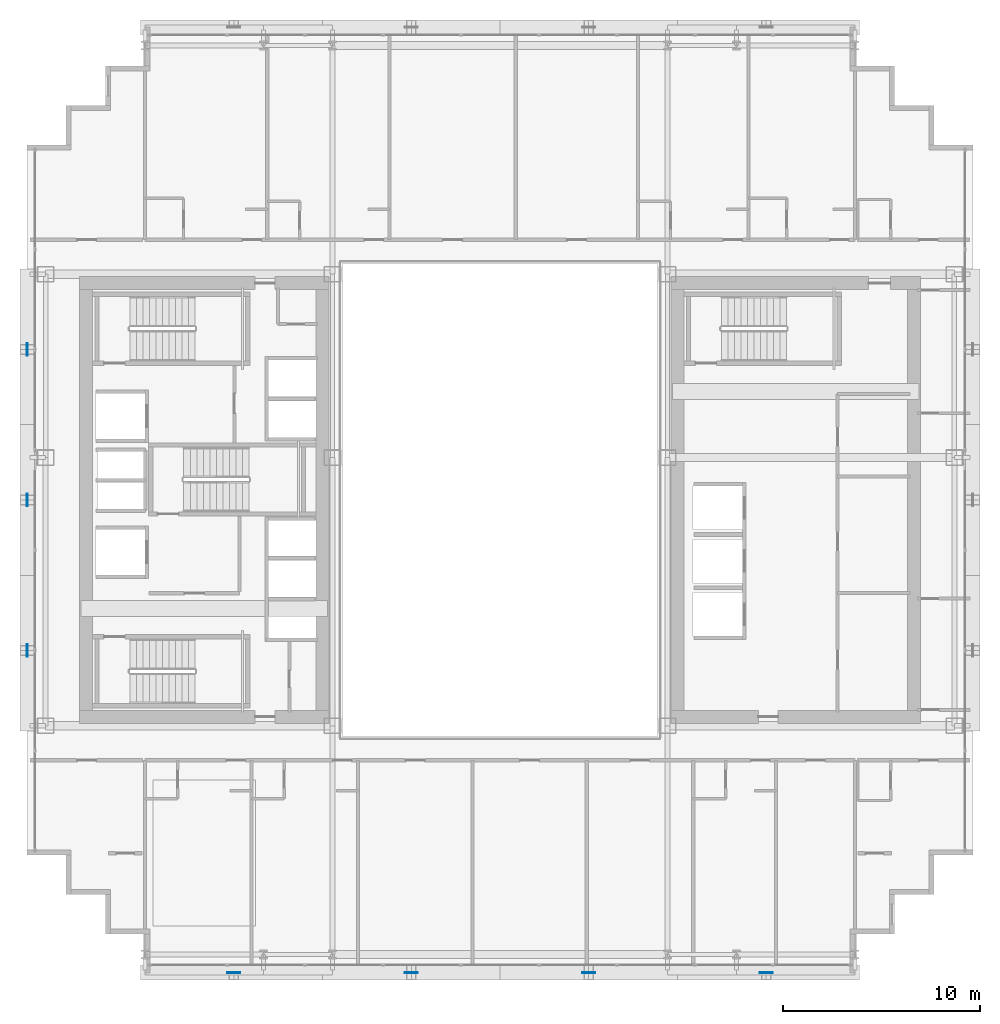
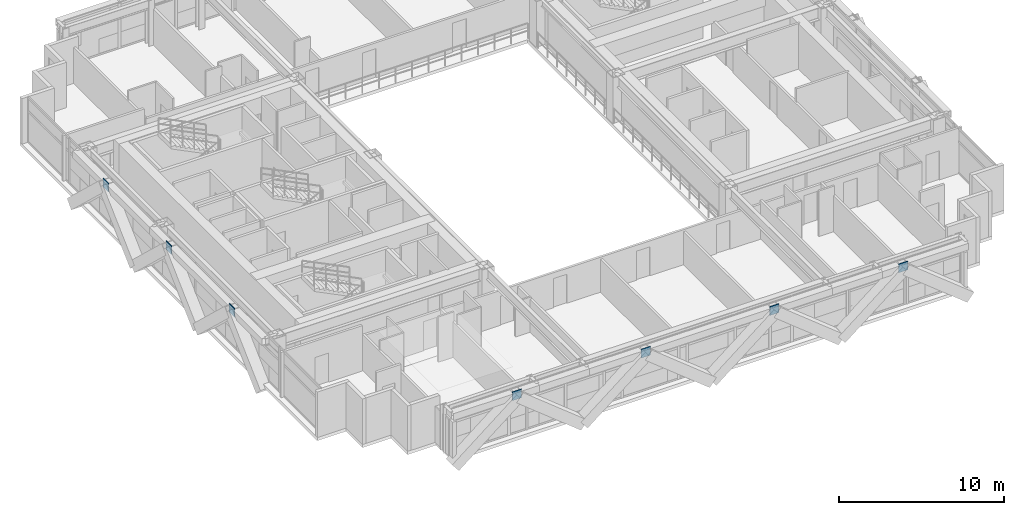
# One storey, part 25 of 35: 7 plates.
"""IFC4 building model written with IfcOpenShell, lengths in metres."""

from ifc_helpers import new_model, si_unit, direction, frame, origin, origin_2d, place, context, subcontext, project, spatial, rectangle, extrude, source, transform, mapped, material, layer, layer_set, type_object, element, save


model = new_model("IFC4")

# Units and contexts
model_context = context("Model", 3, precision=1e-05, world=origin(), true_north=direction((0.0, 1.0)))
body_context = subcontext(model_context, "Body", "Model", "MODEL_VIEW")
ifc_project = project(units=[si_unit("LENGTHUNIT", "METRE"), si_unit("AREAUNIT", "SQUARE_METRE"), si_unit("VOLUMEUNIT", "CUBIC_METRE"), si_unit("PLANEANGLEUNIT", "RADIAN"), si_unit("MASSUNIT", "GRAM", prefix="KILO")], contexts=[model_context])

# Site, building, storey
site_placement = place(None, origin())
site = spatial("IfcSite", under=ifc_project, at=site_placement, CompositionType="ELEMENT")
building_placement = place(site_placement, origin())
building = spatial("IfcBuilding", under=site, at=building_placement, Name="Ocotamira Hotel", CompositionType="ELEMENT")
storey_placement = place(building_placement, frame((0.0, 0.0, 118.800048828125)))
storey = spatial("IfcBuildingStorey", under=building, at=storey_placement, Name="L29", CompositionType="ELEMENT", Elevation=118.800048828125)

# Plates
ifc_material = material(Name="Pale-metal coated steel ASTM A572 Grade 50", Category="steel")
ifc_layer = layer(ifc_material, 0.0400390625)
ifc_layer_set = layer_set([ifc_layer], Name="Pale-metal coated steel ASTM A572 Grade 50")
plate_type = type_object("IfcPlateType", Name="PLT-GUSSET-40", PredefinedType="SHEET", material=ifc_layer_set)
shared_shape_1 = source(origin(), body_context, "Body", "SweptSolid", [
    extrude(rectangle(XDim=0.64990234375, YDim=0.0400390625, at=origin_2d()), origin(), (0.0, 0.0, 1.0), 0.64990234375),
])
for number, where, z_axis, x_axis, name in (
    (1, (18.5, 2.030029296875, 2.784912109375), (0.0, 0.0, 1.0), (1.0, 0.0, 0.0), "L29 Exoskeleton Diagrid S0.1 End Gusset B"),
    (2, (27.5, 2.030029296875, 2.784912109375), (0.0, 0.0, 1.0), (1.0, 0.0, 0.0), "L29 Exoskeleton Diagrid S1.1 End Gusset B"),
    (3, (36.5, 2.030029296875, 2.784912109375), (0.0, 0.0, 1.0), (1.0, 0.0, 0.0), "L29 Exoskeleton Diagrid S2.1 End Gusset B"),
    (4, (45.5, 2.030029296875, 2.784912109375), (0.0, 0.0, 1.0), (1.0, 0.0, 0.0), "L29 Exoskeleton Diagrid S3.1 End Gusset B"),
):
    element("IfcPlate", number, at=place(storey_placement, frame(where, z_axis=z_axis, x_axis=x_axis)), inside=storey, type_object=plate_type, Name=name, PredefinedType="SHEET", context=body_context, shape_type="MappedRepresentation", body=[
        mapped(shared_shape_1, transform((0.0, 0.0, 0.0), scale=1.0)),
    ])
shared_shape_2 = source(origin(), body_context, "Body", "SweptSolid", [
    extrude(rectangle(XDim=0.0400390625, YDim=0.64990234375, at=origin_2d()), origin(), (0.0, 0.0, 1.0), 0.64990234375),
])
for number, where, z_axis, x_axis, name in (
    (5, (8.030029296875, 18.36669921875, 2.784912109375), (0.0, 0.0, 1.0), (1.0, 0.0, 0.0), "L29 Exoskeleton Diagrid W0.1 End Gusset B"),
    (6, (8.030029296875, 26.0, 2.784912109375), (0.0, 0.0, 1.0), (1.0, 0.0, 0.0), "L29 Exoskeleton Diagrid W1.1 End Gusset B"),
    (7, (8.030029296875, 33.63330078125, 2.784912109375), (0.0, 0.0, 1.0), (1.0, 0.0, 0.0), "L29 Exoskeleton Diagrid W2.1 End Gusset B"),
):
    element("IfcPlate", number, at=place(storey_placement, frame(where, z_axis=z_axis, x_axis=x_axis)), inside=storey, type_object=plate_type, Name=name, PredefinedType="SHEET", context=body_context, shape_type="MappedRepresentation", body=[
        mapped(shared_shape_2, transform((0.0, 0.0, 0.0), scale=1.0)),
    ])

save(model, "model.ifc")
